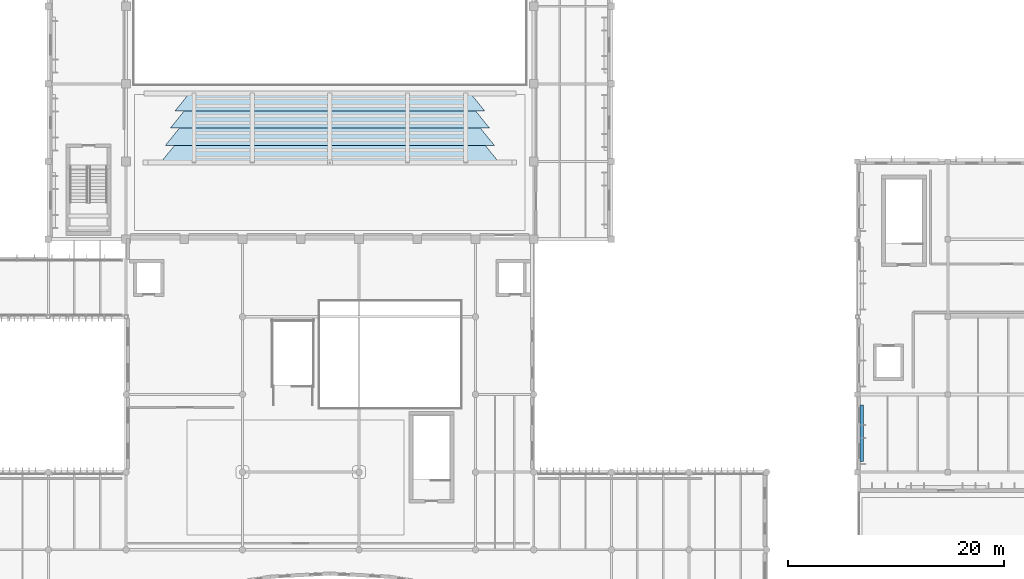
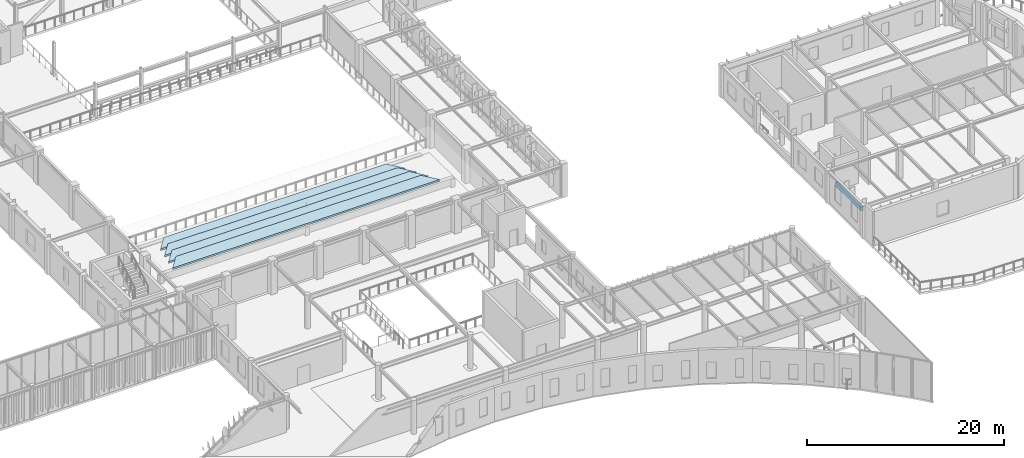
# One storey, part 22 of 104: 4 slabs, 1 plate.
"""IFC4 building model written with IfcOpenShell, lengths in metres."""

from ifc_helpers import new_model, si_unit, direction, frame, origin, origin_2d, place, context, subcontext, project, spatial, polyline, rectangle, outline, extrude, material, layer, layer_set, type_object, element, save


model = new_model("IFC4")

# Units and contexts
model_context = context("Model", 3, precision=1e-05, world=origin(), true_north=direction((0.0, 1.0)))
body_context = subcontext(model_context, "Body", "Model", "MODEL_VIEW")
ifc_project = project(units=[si_unit("LENGTHUNIT", "METRE"), si_unit("AREAUNIT", "SQUARE_METRE"), si_unit("VOLUMEUNIT", "CUBIC_METRE"), si_unit("PLANEANGLEUNIT", "RADIAN"), si_unit("MASSUNIT", "GRAM", prefix="KILO")], contexts=[model_context])

# Site, building, storey
site_placement = place(None, origin())
site = spatial("IfcSite", under=ifc_project, at=site_placement, CompositionType="ELEMENT")
building_placement = place(site_placement, origin())
building = spatial("IfcBuilding", under=site, at=building_placement, Name="Tazoul Stagehouse", CompositionType="ELEMENT")
storey_placement = place(building_placement, frame((0.0, 0.0, 9.0)))
storey = spatial("IfcBuildingStorey", under=building, at=storey_placement, Name="L02", CompositionType="ELEMENT", Elevation=9.0)

# Plate
ifc_material_1 = material(Name="Anodised Bronze Aluminium 6063-T6", Category="aluminium")
ifc_layer_1 = layer(ifc_material_1, 0.320068359375, Name="Anodised Bronze Aluminium 6063-T6")
ifc_layer_set_1 = layer_set([ifc_layer_1], Name="Anodised Bronze Aluminium 6063-T6")
plate_type = type_object("IfcPlateType", Name="Sculpted Facade Spandrel Ribbon 5200x480", PredefinedType="USERDEFINED", material=ifc_layer_set_1)
plate_placement = place(storey_placement, frame((125.81005859375, 33.800048828125, 2.51611328125), z_axis=(0.0, 0.0, 1.0), x_axis=(0.0, 1.0, 0.0)))
element("IfcPlate", 1, at=plate_placement, inside=storey, type_object=plate_type, Name="L02 Sculpted Facade Spandrel Ribbon FRB-07 (WALL-V4-W-L02-S2)", ObjectType="FACADE RIBBON", PredefinedType="USERDEFINED", context=body_context, shape_type="SweptSolid", body=[
    extrude(rectangle(XDim=5.199951171875, YDim=0.320068359375, at=origin_2d()), origin(), (0.0, 0.0, 1.0), 0.47998046875),
])

# Slabs
ifc_material_2 = material(Name="Concrete C40/50", Category="concrete")
ifc_layer_2 = layer(ifc_material_2, 0.2099609375, Name="Concrete C40/50")
ifc_layer_set_2 = layer_set([ifc_layer_2], Name="Concrete C40/50")
slab_type = type_object("IfcSlabType", Name="Stepped Circle Seating Tier 210", PredefinedType="USERDEFINED", material=ifc_layer_set_2)
slab_1_placement = place(storey_placement, frame((0.0, 0.0, 0.1298828125)))
element("IfcSlab", 2, at=slab_1_placement, inside=storey, type_object=slab_type, Name="Stand V1-UPPER Seating Tier Row 1", ObjectType="SEATING TIER", PredefinedType="USERDEFINED", context=body_context, shape_type="SweptSolid", body=[
    extrude(outline(polyline([(62.14990234375, 63.699951171875), (90.85009765625, 63.699951171875), (89.550048828125, 65.300048828125), (63.449951171875, 65.300048828125), (62.14990234375, 63.699951171875)])), origin(), (0.0, 0.0, 1.0), 0.210205078125),
])
slab_2_placement = place(storey_placement, frame((0.0, 0.0, 0.469970703125)))
element("IfcSlab", 3, at=slab_2_placement, inside=storey, type_object=slab_type, Name="Stand V1-UPPER Seating Tier Row 2", ObjectType="SEATING TIER", PredefinedType="USERDEFINED", context=body_context, shape_type="SweptSolid", body=[
    extrude(outline(polyline([(61.699951171875, 62.10009765625), (91.300048828125, 62.10009765625), (90.0, 63.699951171875), (63.0, 63.699951171875), (61.699951171875, 62.10009765625)])), origin(), (0.0, 0.0, 1.0), 0.2099609375),
])
slab_3_placement = place(storey_placement, frame((0.0, 0.0, 0.81005859375)))
element("IfcSlab", 4, at=slab_3_placement, inside=storey, type_object=slab_type, Name="Stand V1-UPPER Seating Tier Row 3", ObjectType="SEATING TIER", PredefinedType="USERDEFINED", context=body_context, shape_type="SweptSolid", body=[
    extrude(outline(polyline([(61.25, 60.5), (91.75, 60.5), (90.449951171875, 62.10009765625), (62.550048828125, 62.10009765625), (61.25, 60.5)])), origin(), (0.0, 0.0, 1.0), 0.2099609375),
])
slab_4_placement = place(storey_placement, frame((0.0, 0.0, 1.14990234375)))
element("IfcSlab", 5, at=slab_4_placement, inside=storey, type_object=slab_type, Name="Stand V1-UPPER Seating Tier Row 4", ObjectType="SEATING TIER", PredefinedType="USERDEFINED", context=body_context, shape_type="SweptSolid", body=[
    extrude(outline(polyline([(60.800048828125, 58.89990234375), (92.199951171875, 58.89990234375), (90.89990234375, 60.5), (62.10009765625, 60.5), (60.800048828125, 58.89990234375)])), origin(), (0.0, 0.0, 1.0), 0.210205078125),
])

save(model, "model.ifc")
